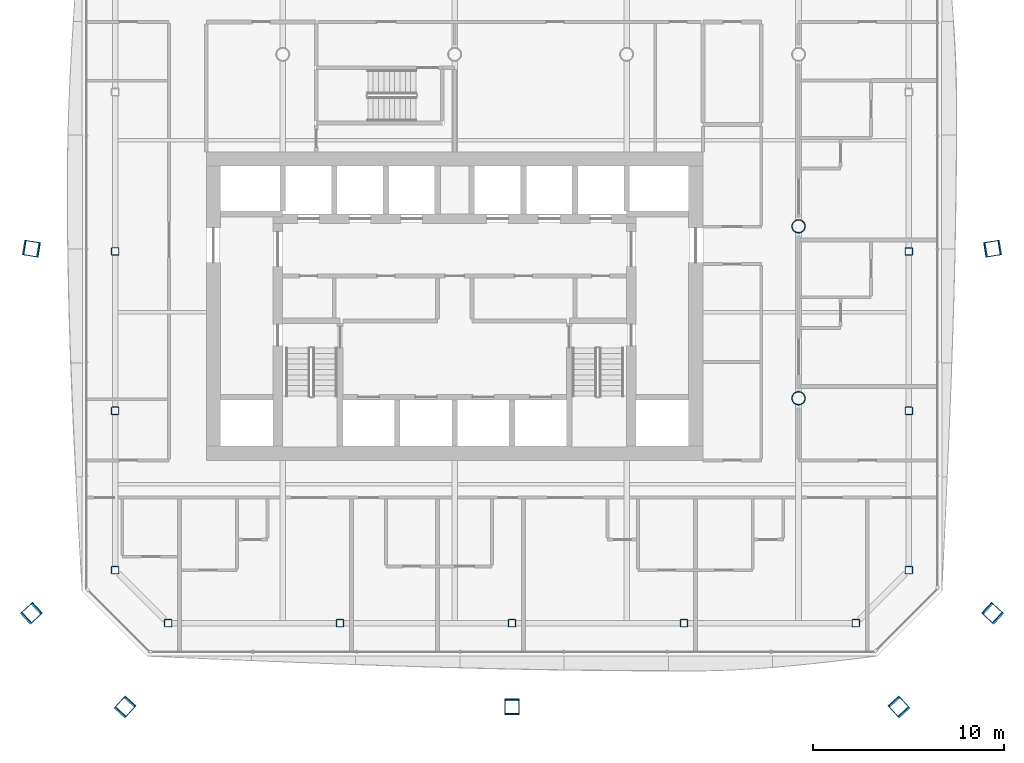
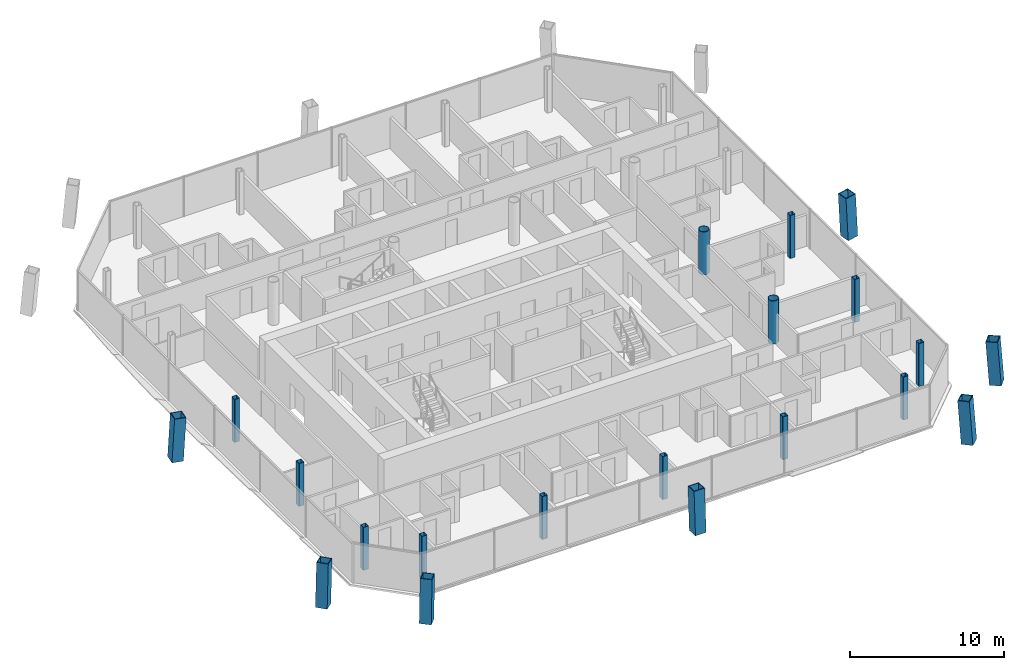
# One storey, part 1 of 18: 20 columns.
"""IFC4 building model written with IfcOpenShell, lengths in metres."""

from ifc_helpers import new_model, si_unit, direction, frame, origin, origin_2d, place, context, subcontext, project, spatial, hollow_rectangle, hollow_circle, extrude, material, material_profile, profile_set, type_object, element, save


model = new_model("IFC4")

# Units and contexts
model_context = context("Model", 3, precision=1e-05, world=origin(), true_north=direction((0.0, 1.0)))
body_context = subcontext(model_context, "Body", "Model", "MODEL_VIEW")
ifc_project = project(units=[si_unit("LENGTHUNIT", "METRE"), si_unit("AREAUNIT", "SQUARE_METRE"), si_unit("VOLUMEUNIT", "CUBIC_METRE"), si_unit("PLANEANGLEUNIT", "RADIAN"), si_unit("MASSUNIT", "GRAM", prefix="KILO")], contexts=[model_context])

# Site, building, storey
site_placement = place(None, origin())
site = spatial("IfcSite", under=ifc_project, at=site_placement, CompositionType="ELEMENT")
building_placement = place(site_placement, origin())
building = spatial("IfcBuilding", under=site, at=building_placement, Name="Tskaro Facet Tower", CompositionType="ELEMENT")
storey_placement = place(building_placement, frame((0.0, 0.0, 145.300048828125)))
storey = spatial("IfcBuildingStorey", under=building, at=storey_placement, Name="L35", CompositionType="ELEMENT", Elevation=145.300048828125)

# Columns
ifc_material_1 = material(Name="Steel S460M", Category="steel")
ifc_material_profile_1 = material_profile(ifc_material_1, hollow_rectangle(XDim=0.800048828125, YDim=0.800048828125, WallThickness=0.050048828125, at=origin_2d()), Name="BOX 800x800x50")
ifc_profile_set_1 = profile_set([ifc_material_profile_1], Name="Steel S460M")
column_type_1 = type_object("IfcColumnType", Name="BOX 800x800x50 mega column", PredefinedType="COLUMN", material=ifc_profile_set_1)
column_1_placement = place(storey_placement, frame((-17.283935546875, -25.18896484375, 0.0), z_axis=(0.048986988877, 0.053642185188, 0.997357905112), x_axis=(-0.738421459448, 0.674339490337, 0.0)))
element("IfcColumn", 1, at=column_1_placement, inside=storey, type_object=column_type_1, Name="BOX 800x800x50 MC01/3", PredefinedType="COLUMN", context=body_context, shape_type="SweptSolid", body=[
    extrude(hollow_rectangle(XDim=0.800048828125, YDim=0.800048828125, WallThickness=0.050048828125, at=origin_2d()), origin(), (0.0, 0.0, 1.0), 3.408935546875),
])
column_2_placement = place(storey_placement, frame((3.0, -25.18896484375, 0.0), z_axis=(0.0, 0.053706664509, 0.998556755616), x_axis=(-1.0, 0.0, 0.0)))
element("IfcColumn", 2, at=column_2_placement, inside=storey, type_object=column_type_1, Name="BOX 800x800x50 MC02/3", PredefinedType="COLUMN", context=body_context, shape_type="SweptSolid", body=[
    extrude(hollow_rectangle(XDim=0.800048828125, YDim=0.800048828125, WallThickness=0.050048828125, at=origin_2d()), origin(), (0.0, 0.0, 1.0), 3.40478515625),
])
for number, where, z_axis, x_axis, name in (
    (3, (23.283935546875, -25.18896484375, 0.0), (-0.048986988877, 0.053642185188, 0.997357905112), (-0.738421459448, -0.674339490337, 0.0), "BOX 800x800x50 MC03/3"),
    (4, (28.18896484375, -20.283935546875, 0.0), (-0.053642185188, 0.048986988877, 0.997357905112), (-0.674339490337, -0.738421459448, 0.0), "BOX 800x800x50 MC04/3"),
):
    element("IfcColumn", number, at=place(storey_placement, frame(where, z_axis=z_axis, x_axis=x_axis)), inside=storey, type_object=column_type_1, Name=name, PredefinedType="COLUMN", context=body_context, shape_type="SweptSolid", body=[
        extrude(hollow_rectangle(XDim=0.800048828125, YDim=0.800048828125, WallThickness=0.050048828125, at=origin_2d()), origin(), (0.0, 0.0, 1.0), 3.408935546875),
    ])
for number, where, z_axis, x_axis, name in (
    (5, (28.18896484375, -1.166015625, 0.0), (-0.053704575811, -0.008819309512, 0.998517920879), (0.162048444398, -0.986782803695, 0.0), "BOX 800x800x50 MC05/3"),
    (6, (-22.18896484375, -1.166015625, 0.0), (0.053704575811, -0.008819309512, 0.998517920879), (0.162048444398, 0.986782803695, 0.0), "BOX 800x800x50 MC11/3"),
):
    element("IfcColumn", number, at=place(storey_placement, frame(where, z_axis=z_axis, x_axis=x_axis)), inside=storey, type_object=column_type_1, Name=name, PredefinedType="COLUMN", context=body_context, shape_type="SweptSolid", body=[
        extrude(hollow_rectangle(XDim=0.800048828125, YDim=0.800048828125, WallThickness=0.050048828125, at=origin_2d()), origin(), (0.0, 0.0, 1.0), 3.405029296875),
    ])
column_3_placement = place(storey_placement, frame((-22.18896484375, -20.283935546875, 0.0), z_axis=(0.053642185188, 0.048986988877, 0.997357905112), x_axis=(-0.674339490337, 0.738421459448, 0.0)))
element("IfcColumn", 7, at=column_3_placement, inside=storey, type_object=column_type_1, Name="BOX 800x800x50 MC12/3", PredefinedType="COLUMN", context=body_context, shape_type="SweptSolid", body=[
    extrude(hollow_rectangle(XDim=0.800048828125, YDim=0.800048828125, WallThickness=0.050048828125, at=origin_2d()), origin(), (0.0, 0.0, 1.0), 3.408935546875),
])
ifc_material_2 = material(Name="Steel S355J2H", Category="steel")
ifc_material_profile_2 = material_profile(ifc_material_2, hollow_circle(Radius=0.35546875, WallThickness=0.031982421875, at=origin_2d()), Name="CHS 711x32")
ifc_profile_set_2 = profile_set([ifc_material_profile_2], Name="Steel S355J2H")
column_type_2 = type_object("IfcColumnType", Name="CHS 711x32 interior column", PredefinedType="COLUMN", material=ifc_profile_set_2)
for number, where, z_axis, x_axis, name in (
    (8, (18.0, -9.0, 0.0), (0.0, 0.0, 1.0), (1.0, 0.0, 0.0), "CHS 711x32 C6C/3"),
    (9, (18.0, 0.0, 0.0), (0.0, 0.0, 1.0), (1.0, 0.0, 0.0), "CHS 711x32 C6D/3"),
):
    element("IfcColumn", number, at=place(storey_placement, frame(where, z_axis=z_axis, x_axis=x_axis)), inside=storey, type_object=column_type_2, Name=name, PredefinedType="COLUMN", context=body_context, shape_type="SweptSolid", body=[
        extrude(hollow_circle(Radius=0.35546875, WallThickness=0.031982421875, at=origin_2d()), origin(), (0.0, 0.0, 1.0), 3.39990234375),
    ])
ifc_material_profile_3 = material_profile(ifc_material_2, hollow_rectangle(XDim=0.39990234375, YDim=0.39990234375, WallThickness=0.02001953125, InnerFilletRadius=0.030029296875, OuterFilletRadius=0.050048828125, at=origin_2d()), Name="SHS 400x400x20")
ifc_profile_set_3 = profile_set([ifc_material_profile_3], Name="Steel S355J2H")
column_type_3 = type_object("IfcColumnType", Name="SHS 400x400x20 ring column", PredefinedType="COLUMN", material=ifc_profile_set_3)
for number, where, z_axis, x_axis, name in (
    (10, (-14.9990234375, -20.77392578125, 0.0), (0.0, 0.0, 1.0), (1.0, 0.0, 0.0), "SHS 400x400x20 RS-1/3"),
    (11, (-6.0, -20.77392578125, 0.0), (0.0, 0.0, 1.0), (1.0, 0.0, 0.0), "SHS 400x400x20 RS-2/3"),
    (12, (3.0, -20.77392578125, 0.0), (0.0, 0.0, 1.0), (1.0, 0.0, 0.0), "SHS 400x400x20 RS-3/3"),
    (13, (12.0, -20.77392578125, 0.0), (0.0, 0.0, 1.0), (1.0, 0.0, 0.0), "SHS 400x400x20 RS-4/3"),
    (14, (20.9990234375, -20.77392578125, 0.0), (0.0, 0.0, 1.0), (1.0, 0.0, 0.0), "SHS 400x400x20 RSE-1/3"),
    (15, (23.77392578125, -17.9990234375, 0.0), (0.0, 0.0, 1.0), (1.0, 0.0, 0.0), "SHS 400x400x20 RE-1/3"),
    (16, (23.77392578125, -9.656982421875, 0.0), (0.0, 0.0, 1.0), (1.0, 0.0, 0.0), "SHS 400x400x20 RE-2/3"),
    (17, (23.77392578125, -1.31591796875, 0.0), (0.0, 0.0, 1.0), (1.0, 0.0, 0.0), "SHS 400x400x20 RE-3/3"),
    (18, (-17.77392578125, -1.31494140625, 0.0), (0.0, 0.0, 1.0), (1.0, 0.0, 0.0), "SHS 400x400x20 RW-3/3"),
    (19, (-17.77392578125, -9.656982421875, 0.0), (0.0, 0.0, 1.0), (1.0, 0.0, 0.0), "SHS 400x400x20 RW-4/3"),
    (20, (-17.77392578125, -17.9990234375, 0.0), (0.0, 0.0, 1.0), (1.0, 0.0, 0.0), "SHS 400x400x20 RSW-1/3"),
):
    element("IfcColumn", number, at=place(storey_placement, frame(where, z_axis=z_axis, x_axis=x_axis)), inside=storey, type_object=column_type_3, Name=name, PredefinedType="COLUMN", context=body_context, shape_type="SweptSolid", body=[
        extrude(hollow_rectangle(XDim=0.39990234375, YDim=0.39990234375, WallThickness=0.02001953125, InnerFilletRadius=0.030029296875, OuterFilletRadius=0.050048828125, at=origin_2d()), origin(), (0.0, 0.0, 1.0), 3.39990234375),
    ])

save(model, "model.ifc")
